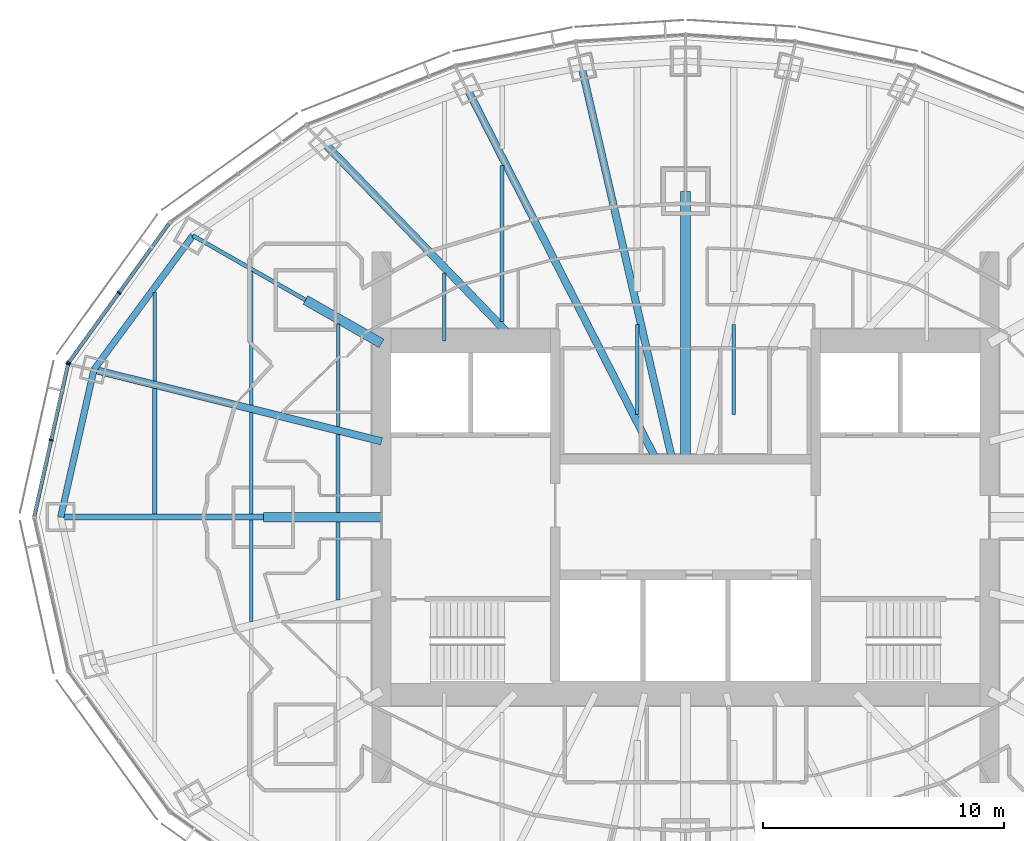
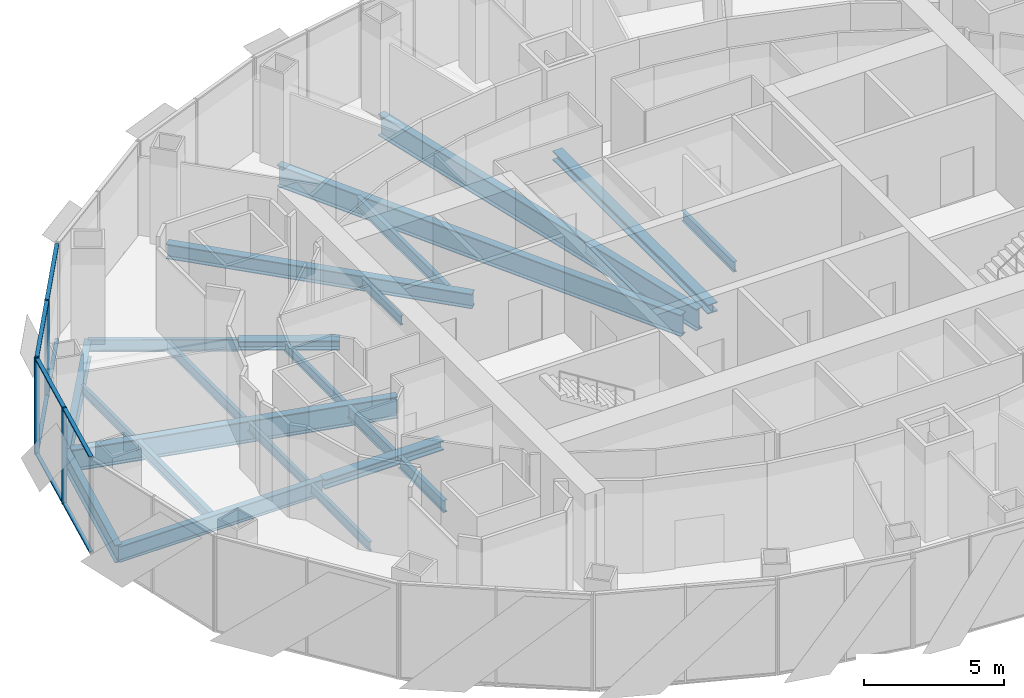
# One storey, part 4 of 19: 23 beams, 12 members, 2 elements without a shape of their own.
"""IFC4 building model written with IfcOpenShell, lengths in metres."""

from ifc_helpers import new_model, si_unit, direction, frame, origin, origin_2d, place, context, subcontext, project, spatial, rectangle, i_section, extrude, material, material_profile, profile_set, type_object, element, aggregate, save


model = new_model("IFC4")

# Units and contexts
model_context = context("Model", 3, precision=1e-05, world=origin(), true_north=direction((0.0, 1.0)))
body_context = subcontext(model_context, "Body", "Model", "MODEL_VIEW")
ifc_project = project(units=[si_unit("LENGTHUNIT", "METRE"), si_unit("AREAUNIT", "SQUARE_METRE"), si_unit("VOLUMEUNIT", "CUBIC_METRE"), si_unit("PLANEANGLEUNIT", "RADIAN"), si_unit("MASSUNIT", "GRAM", prefix="KILO")], contexts=[model_context])

# Site, building, storey
site_placement = place(None, origin())
site = spatial("IfcSite", under=ifc_project, at=site_placement, CompositionType="ELEMENT")
building_placement = place(site_placement, origin())
building = spatial("IfcBuilding", under=site, at=building_placement, Name="Lantaw Convention Tower", CompositionType="ELEMENT")
storey_placement = place(building_placement, frame((0.0, 0.0, 249.39990234375)))
storey = spatial("IfcBuildingStorey", under=building, at=storey_placement, Name="L58", CompositionType="ELEMENT", Elevation=249.39990234375)

# Beams
ifc_material_1 = material(Name="Steel ASTM A992", Category="steel")
ifc_material_profile_1 = material_profile(ifc_material_1, i_section(OverallWidth=0.2666015625, OverallDepth=0.76953125, WebThickness=0.015625, FlangeThickness=0.025390625, FilletRadius=0.0126953125, at=origin_2d()), Name="W30X132")
ifc_profile_set_1 = profile_set([ifc_material_profile_1], Name="Steel ASTM A992")
beam_type_1 = type_object("IfcBeamType", Name="Beam E W30X132", PredefinedType="SPANDREL", material=ifc_profile_set_1)
beam_1_placement = place(storey_placement, frame((-20.423095703125, 11.67041015625, -0.53466796875), z_axis=(-0.593639188853, -0.804731329984, 0.0), x_axis=(0.804731329984, -0.593639188853, 0.0)))
element("IfcBeam", 1, at=beam_1_placement, inside=storey, type_object=beam_type_1, Name="Edge beam 11", PredefinedType="SPANDREL", context=body_context, shape_type="SweptSolid", body=[
    extrude(i_section(OverallWidth=0.2666015625, OverallDepth=0.76953125, WebThickness=0.015625, FlangeThickness=0.025390625, FilletRadius=0.0126953125, at=origin_2d()), origin(), (0.0, 0.0, 1.0), 6.904541015625),
])
beam_2_placement = place(storey_placement, frame((-24.52197265625, 6.114013671875, -0.53466796875), z_axis=(-0.219857926596, -0.97553190215, 0.0), x_axis=(0.97553190215, -0.219857926596, 0.0)))
element("IfcBeam", 2, at=beam_2_placement, inside=storey, type_object=beam_type_1, Name="Edge beam 12", PredefinedType="SPANDREL", context=body_context, shape_type="SweptSolid", body=[
    extrude(i_section(OverallWidth=0.2666015625, OverallDepth=0.76953125, WebThickness=0.015625, FlangeThickness=0.025390625, FilletRadius=0.0126953125, at=origin_2d()), origin(), (0.0, 0.0, 1.0), 6.267333984375),
])
ifc_material_profile_2 = material_profile(ifc_material_1, i_section(OverallWidth=0.1650390625, OverallDepth=0.52587890625, WebThickness=0.0087890625, FlangeThickness=0.011474609375, FilletRadius=0.0126953125, at=origin_2d()), Name="W21X44")
ifc_profile_set_2 = profile_set([ifc_material_profile_2], Name="Steel ASTM A992")
beam_type_2 = type_object("IfcBeamType", Name="Beam G W21X44", PredefinedType="BEAM", material=ifc_profile_set_2)
beam_3_placement = place(storey_placement, frame((-15.75, 9.0, -0.412841796875), z_axis=(-0.868237559289, 0.496148708192, 0.0), x_axis=(-0.496148708192, -0.868237559289, 0.0)))
element("IfcBeam", 3, at=beam_3_placement, inside=storey, type_object=beam_type_2, Name="Floor girder on ray 11", PredefinedType="BEAM", context=body_context, shape_type="SweptSolid", body=[
    extrude(i_section(OverallWidth=0.1650390625, OverallDepth=0.52587890625, WebThickness=0.0087890625, FlangeThickness=0.011474609375, FilletRadius=0.0126953125, at=origin_2d()), origin(), (0.0, 0.0, 1.0), 5.38232421875),
])
ifc_material_profile_3 = material_profile(ifc_material_1, i_section(OverallWidth=0.32763671875, OverallDepth=0.64013671875, WebThickness=0.01904296875, FlangeThickness=0.033935546875, FilletRadius=0.0126953125, at=origin_2d()), Name="W24X176")
ifc_profile_set_3 = profile_set([ifc_material_profile_3], Name="Steel ASTM A992")
beam_type_3 = type_object("IfcBeamType", Name="Beam G W24X176", PredefinedType="BEAM", material=ifc_profile_set_3)
beam_4_placement = place(storey_placement, frame((-7.049560546875, 7.300048828125, -0.469970703125), z_axis=(-0.694657766726, 0.719340383356, 0.0), x_axis=(-0.719340383356, -0.694657766726, 0.0)))
element("IfcBeam", 4, at=beam_4_placement, inside=storey, type_object=beam_type_3, Name="Floor girder on ray 10", PredefinedType="BEAM", context=body_context, shape_type="SweptSolid", body=[
    extrude(i_section(OverallWidth=0.32763671875, OverallDepth=0.64013671875, WebThickness=0.01904296875, FlangeThickness=0.033935546875, FilletRadius=0.0126953125, at=origin_2d()), origin(), (0.0, 0.0, 1.0), 11.364990234375),
])
ifc_material_profile_4 = material_profile(ifc_material_1, i_section(OverallWidth=0.25390625, OverallDepth=0.700927734375, WebThickness=0.015380859375, FlangeThickness=0.02783203125, FilletRadius=0.01513671875, at=origin_2d()), Name="W27X129")
ifc_profile_set_4 = profile_set([ifc_material_profile_4], Name="Steel ASTM A992")
beam_type_4 = type_object("IfcBeamType", Name="Beam G W27X129", PredefinedType="BEAM", material=ifc_profile_set_4)
beam_5_placement = place(storey_placement, frame((-17.5, 0.0, -0.50048828125), z_axis=(-1.0, 0.0, 0.0), x_axis=(0.0, -1.0, 0.0)))
element("IfcBeam", 5, at=beam_5_placement, inside=storey, type_object=beam_type_4, Name="Floor girder on ray 13", PredefinedType="BEAM", context=body_context, shape_type="SweptSolid", body=[
    extrude(i_section(OverallWidth=0.25390625, OverallDepth=0.700927734375, WebThickness=0.015380859375, FlangeThickness=0.02783203125, FilletRadius=0.01513671875, at=origin_2d()), origin(), (0.0, 0.0, 1.0), 8.39990234375),
])
ifc_material_profile_5 = material_profile(ifc_material_1, i_section(OverallWidth=0.307373046875, OverallDepth=0.9423828125, WebThickness=0.022216796875, FlangeThickness=0.039794921875, FilletRadius=0.0126953125, at=origin_2d()), Name="W36X232")
ifc_profile_set_5 = profile_set([ifc_material_profile_5], Name="Steel ASTM A992")
beam_type_5 = type_object("IfcBeamType", Name="Beam G W36X232", PredefinedType="BEAM", material=ifc_profile_set_5)
beam_6_placement = place(storey_placement, frame((-0.55419921875, 2.39990234375, -0.62109375), z_axis=(-0.224948287002, 0.974370703672, 0.0), x_axis=(-0.974370703672, -0.224948287002, 0.0)))
element("IfcBeam", 6, at=beam_6_placement, inside=storey, type_object=beam_type_5, Name="Floor girder on ray 8", PredefinedType="BEAM", context=body_context, shape_type="SweptSolid", body=[
    extrude(i_section(OverallWidth=0.307373046875, OverallDepth=0.9423828125, WebThickness=0.022216796875, FlangeThickness=0.039794921875, FilletRadius=0.0126953125, at=origin_2d()), origin(), (0.0, 0.0, 1.0), 16.66943359375),
])
beam_7_placement = place(storey_placement, frame((-1.222900390625, 2.39990234375, -0.62109375), z_axis=(-0.453988481463, 0.891007552549, 0.0), x_axis=(-0.891007552549, -0.453988481463, 0.0)))
element("IfcBeam", 7, at=beam_7_placement, inside=storey, type_object=beam_type_5, Name="Floor girder on ray 9", PredefinedType="BEAM", context=body_context, shape_type="SweptSolid", body=[
    extrude(i_section(OverallWidth=0.307373046875, OverallDepth=0.9423828125, WebThickness=0.022216796875, FlangeThickness=0.039794921875, FilletRadius=0.0126953125, at=origin_2d()), origin(), (0.0, 0.0, 1.0), 17.20703125),
])
beam_8_placement = place(storey_placement, frame((-12.60009765625, 3.1416015625, -0.62109375), z_axis=(-0.970296589314, 0.241918434119, 0.0), x_axis=(-0.241918434119, -0.970296589314, 0.0)))
element("IfcBeam", 8, at=beam_8_placement, inside=storey, type_object=beam_type_5, Name="Floor girder on ray 12", PredefinedType="BEAM", context=body_context, shape_type="SweptSolid", body=[
    extrude(i_section(OverallWidth=0.307373046875, OverallDepth=0.9423828125, WebThickness=0.022216796875, FlangeThickness=0.039794921875, FilletRadius=0.0126953125, at=origin_2d()), origin(), (0.0, 0.0, 1.0), 12.286865234375),
])
ifc_material_profile_6 = material_profile(ifc_material_1, i_section(OverallWidth=0.40380859375, OverallDepth=0.406494140625, WebThickness=0.027099609375, FlangeThickness=0.043701171875, FilletRadius=0.01513671875, at=origin_2d()), Name="W14X233")
ifc_profile_set_6 = profile_set([ifc_material_profile_6], Name="Steel ASTM A992")
beam_type_6 = type_object("IfcBeamType", Name="Beam GM W14X233", PredefinedType="BEAM", material=ifc_profile_set_6)
beam_9_placement = place(storey_placement, frame((0.0, 2.39990234375, -0.35302734375), z_axis=(0.0, 1.0, 0.0), x_axis=(-1.0, 0.0, 0.0)))
element("IfcBeam", 9, at=beam_9_placement, inside=storey, type_object=beam_type_6, Name="Core link beam on ray 7", PredefinedType="BEAM", context=body_context, shape_type="SweptSolid", body=[
    extrude(i_section(OverallWidth=0.40380859375, OverallDepth=0.406494140625, WebThickness=0.027099609375, FlangeThickness=0.043701171875, FilletRadius=0.01513671875, at=origin_2d()), origin(), (0.0, 0.0, 1.0), 11.10009765625),
])
beam_10_placement = place(storey_placement, frame((-12.60009765625, 7.199951171875, -0.35302734375), z_axis=(-0.868230718294, 0.496160679428, 0.0), x_axis=(-0.496160679428, -0.868230718294, 0.0)))
element("IfcBeam", 10, at=beam_10_placement, inside=storey, type_object=beam_type_6, Name="Core link beam on ray 11", PredefinedType="BEAM", context=body_context, shape_type="SweptSolid", body=[
    extrude(i_section(OverallWidth=0.40380859375, OverallDepth=0.406494140625, WebThickness=0.027099609375, FlangeThickness=0.043701171875, FilletRadius=0.01513671875, at=origin_2d()), origin(), (0.0, 0.0, 1.0), 3.6279296875),
])
beam_11_placement = place(storey_placement, frame((-12.60009765625, 0.0, -0.35302734375), z_axis=(-1.0, 0.0, 0.0), x_axis=(0.0, -1.0, 0.0)))
element("IfcBeam", 11, at=beam_11_placement, inside=storey, type_object=beam_type_6, Name="Core link beam on ray 13", PredefinedType="BEAM", context=body_context, shape_type="SweptSolid", body=[
    extrude(i_section(OverallWidth=0.40380859375, OverallDepth=0.406494140625, WebThickness=0.027099609375, FlangeThickness=0.043701171875, FilletRadius=0.01513671875, at=origin_2d()), origin(), (0.0, 0.0, 1.0), 4.89990234375),
])
ifc_material_profile_7 = material_profile(ifc_material_1, i_section(OverallWidth=0.140380859375, OverallDepth=0.40380859375, WebThickness=0.007080078125, FlangeThickness=0.01123046875, FilletRadius=0.01025390625, at=origin_2d()), Name="W16X31")
ifc_profile_set_7 = profile_set([ifc_material_profile_7], Name="Steel ASTM A992")
beam_type_7 = type_object("IfcBeamType", Name="Beam J W16X31", PredefinedType="JOIST", material=ifc_profile_set_7)
beam_12_placement = place(storey_placement, frame((-22.0, 5.6435546875, -0.351806640625), z_axis=(0.0, 1.0, 0.0), x_axis=(-1.0, 0.0, 0.0)))
element("IfcBeam", 12, at=beam_12_placement, inside=storey, type_object=beam_type_7, Name="Floor joist", PredefinedType="JOIST", context=body_context, shape_type="SweptSolid", body=[
    extrude(i_section(OverallWidth=0.140380859375, OverallDepth=0.40380859375, WebThickness=0.007080078125, FlangeThickness=0.01123046875, FilletRadius=0.01025390625, at=origin_2d()), origin(), (0.0, 0.0, 1.0), 3.66455078125),
])
for number, where, z_axis, x_axis, name in (
    (13, (-18.0, -4.32958984375, -0.351806640625), (0.0, 1.0, 0.0), (-1.0, 0.0, 0.0), "Floor joist"),
    (14, (-18.0, 0.126953125, -0.351806640625), (0.0, 1.0, 0.0), (-1.0, 0.0, 0.0), "Floor joist"),
):
    element("IfcBeam", number, at=place(storey_placement, frame(where, z_axis=z_axis, x_axis=x_axis)), inside=storey, type_object=beam_type_7, Name=name, PredefinedType="JOIST", context=body_context, shape_type="SweptSolid", body=[
        extrude(i_section(OverallWidth=0.140380859375, OverallDepth=0.40380859375, WebThickness=0.007080078125, FlangeThickness=0.01123046875, FilletRadius=0.01025390625, at=origin_2d()), origin(), (0.0, 0.0, 1.0), 4.20263671875),
    ])
beam_13_placement = place(storey_placement, frame((-14.39990234375, 3.748779296875, -0.351806640625), z_axis=(0.0, 1.0, 0.0), x_axis=(-1.0, 0.0, 0.0)))
element("IfcBeam", 15, at=beam_13_placement, inside=storey, type_object=beam_type_7, Name="Floor joist", PredefinedType="JOIST", context=body_context, shape_type="SweptSolid", body=[
    extrude(i_section(OverallWidth=0.140380859375, OverallDepth=0.40380859375, WebThickness=0.007080078125, FlangeThickness=0.01123046875, FilletRadius=0.01025390625, at=origin_2d()), origin(), (0.0, 0.0, 1.0), 4.247314453125),
])
beam_14_placement = place(storey_placement, frame((-10.0, 7.300048828125, -0.351806640625), z_axis=(0.0, 1.0, 0.0), x_axis=(-1.0, 0.0, 0.0)))
element("IfcBeam", 16, at=beam_14_placement, inside=storey, type_object=beam_type_7, Name="Floor joist", PredefinedType="JOIST", context=body_context, shape_type="SweptSolid", body=[
    extrude(i_section(OverallWidth=0.140380859375, OverallDepth=0.40380859375, WebThickness=0.007080078125, FlangeThickness=0.01123046875, FilletRadius=0.01025390625, at=origin_2d()), origin(), (0.0, 0.0, 1.0), 2.8193359375),
])
ifc_material_profile_8 = material_profile(ifc_material_1, i_section(OverallWidth=0.15234375, OverallDepth=0.449462890625, WebThickness=0.007568359375, FlangeThickness=0.0107421875, FilletRadius=0.01025390625, at=origin_2d()), Name="W18X35")
ifc_profile_set_8 = profile_set([ifc_material_profile_8], Name="Steel ASTM A992")
beam_type_8 = type_object("IfcBeamType", Name="Beam J W18X35", PredefinedType="JOIST", material=ifc_profile_set_8)
beam_15_placement = place(storey_placement, frame((-18.0, 4.646240234375, -0.374755859375), z_axis=(0.0, 1.0, 0.0), x_axis=(-1.0, 0.0, 0.0)))
element("IfcBeam", 17, at=beam_15_placement, inside=storey, type_object=beam_type_8, Name="Floor joist", PredefinedType="JOIST", context=body_context, shape_type="SweptSolid", body=[
    extrude(i_section(OverallWidth=0.15234375, OverallDepth=0.449462890625, WebThickness=0.007568359375, FlangeThickness=0.0107421875, FilletRadius=0.01025390625, at=origin_2d()), origin(), (0.0, 0.0, 1.0), 5.54443359375),
])
for number, where, z_axis, x_axis, name in (
    (18, (-2.0, 4.263671875, -0.374755859375), (0.0, 1.0, 0.0), (-1.0, 0.0, 0.0), "Floor joist"),
    (19, (2.0, 4.263671875, -0.374755859375), (0.0, 1.0, 0.0), (-1.0, 0.0, 0.0), "Floor joist"),
):
    element("IfcBeam", number, at=place(storey_placement, frame(where, z_axis=z_axis, x_axis=x_axis)), inside=storey, type_object=beam_type_8, Name=name, PredefinedType="JOIST", context=body_context, shape_type="SweptSolid", body=[
        extrude(i_section(OverallWidth=0.15234375, OverallDepth=0.449462890625, WebThickness=0.007568359375, FlangeThickness=0.0107421875, FilletRadius=0.01025390625, at=origin_2d()), origin(), (0.0, 0.0, 1.0), 3.716064453125),
    ])
ifc_material_profile_9 = material_profile(ifc_material_1, i_section(OverallWidth=0.1904296875, OverallDepth=0.457275390625, WebThickness=0.009033203125, FlangeThickness=0.014404296875, FilletRadius=0.01025390625, at=origin_2d()), Name="W18X50")
ifc_profile_set_9 = profile_set([ifc_material_profile_9], Name="Steel ASTM A992")
beam_type_9 = type_object("IfcBeamType", Name="Beam J W18X50", PredefinedType="JOIST", material=ifc_profile_set_9)
beam_16_placement = place(storey_placement, frame((-22.0, 0.126953125, -0.37841796875), z_axis=(0.0, 1.0, 0.0), x_axis=(-1.0, 0.0, 0.0)))
element("IfcBeam", 20, at=beam_16_placement, inside=storey, type_object=beam_type_9, Name="Floor joist", PredefinedType="JOIST", context=body_context, shape_type="SweptSolid", body=[
    extrude(i_section(OverallWidth=0.1904296875, OverallDepth=0.457275390625, WebThickness=0.009033203125, FlangeThickness=0.014404296875, FilletRadius=0.01025390625, at=origin_2d()), origin(), (0.0, 0.0, 1.0), 5.199951171875),
])
ifc_material_profile_10 = material_profile(ifc_material_1, i_section(OverallWidth=0.1650390625, OverallDepth=0.52587890625, WebThickness=0.0087890625, FlangeThickness=0.011474609375, FilletRadius=0.0126953125, at=origin_2d()), Name="W21X44")
ifc_profile_set_10 = profile_set([ifc_material_profile_10], Name="Steel ASTM A992")
beam_type_10 = type_object("IfcBeamType", Name="Beam J W21X44", PredefinedType="JOIST", material=ifc_profile_set_10)
for number, where, z_axis, x_axis, name in (
    (21, (-14.39990234375, -3.431884765625, -0.412841796875), (0.0, 1.0, 0.0), (-1.0, 0.0, 0.0), "Floor joist"),
    (22, (-14.39990234375, 0.201904296875, -0.412841796875), (0.0, 1.0, 0.0), (-1.0, 0.0, 0.0), "Floor joist"),
):
    element("IfcBeam", number, at=place(storey_placement, frame(where, z_axis=z_axis, x_axis=x_axis)), inside=storey, type_object=beam_type_10, Name=name, PredefinedType="JOIST", context=body_context, shape_type="SweptSolid", body=[
        extrude(i_section(OverallWidth=0.1650390625, OverallDepth=0.52587890625, WebThickness=0.0087890625, FlangeThickness=0.011474609375, FilletRadius=0.0126953125, at=origin_2d()), origin(), (0.0, 0.0, 1.0), 3.22998046875),
    ])
beam_17_placement = place(storey_placement, frame((-7.60009765625, 8.10595703125, -0.412841796875), z_axis=(0.0, 1.0, 0.0), x_axis=(-1.0, 0.0, 0.0)))
element("IfcBeam", 23, at=beam_17_placement, inside=storey, type_object=beam_type_10, Name="Floor joist", PredefinedType="JOIST", context=body_context, shape_type="SweptSolid", body=[
    extrude(i_section(OverallWidth=0.1650390625, OverallDepth=0.52587890625, WebThickness=0.0087890625, FlangeThickness=0.011474609375, FilletRadius=0.0126953125, at=origin_2d()), origin(), (0.0, 0.0, 1.0), 6.471435546875),
])

# Curtain wall, members
ifc_material_2 = material(Name="Aluminium framed curtain wall", Category="aluminium")
curtain_wall_type = type_object("IfcCurtainWallType", Name="Office curtain wall high rise, pale aluminium", PredefinedType="USERDEFINED", material=ifc_material_2)
curtain_wall_1_placement = place(storey_placement, origin())
curtain_wall_1 = element("IfcCurtainWall", 24, at=curtain_wall_1_placement, inside=storey, type_object=curtain_wall_type, Name="Office curtain wall high rise, pale aluminium L58", ObjectType="UNITISED CURTAIN WALL", PredefinedType="USERDEFINED")
ifc_material_3 = material(Name="Aluminium 6063-T6", Category="aluminium")
ifc_material_profile_11 = material_profile(ifc_material_3, rectangle(XDim=0.179931640625, YDim=0.06494140625, at=origin_2d()), Name="CW-O2 mullion 65x180")
ifc_profile_set_11 = profile_set([ifc_material_profile_11], Name="Aluminium 6063-T6")
member_type_1 = type_object("IfcMemberType", Name="CW-O2 mullion 65x180", PredefinedType="MULLION", material=ifc_profile_set_11)
member_1_placement = place(storey_placement, frame((-23.483642578125, 9.298095703125, -0.14990234375), z_axis=(0.0, 0.0, 1.0), x_axis=(0.810919559405, -0.585157643865, 0.0)))
member_1 = element("IfcMember", 25, at=member_1_placement, type_object=member_type_1, Name="CW-O2 mullion 2", PredefinedType="MULLION", context=body_context, shape_type="SweptSolid", body=[
    extrude(rectangle(XDim=0.179931640625, YDim=0.06494140625, at=origin_2d()), origin(), (0.0, 0.0, 1.0), 4.199951171875),
])
member_2_placement = place(storey_placement, frame((-25.5703125, 6.406494140625, -0.14990234375), z_axis=(0.0, 0.0, 1.0), x_axis=(0.810919559405, -0.585157643865, 0.0)))
member_2 = element("IfcMember", 26, at=member_2_placement, type_object=member_type_1, Name="CW-O2 mullion 3", PredefinedType="MULLION", context=body_context, shape_type="SweptSolid", body=[
    extrude(rectangle(XDim=0.179931640625, YDim=0.06494140625, at=origin_2d()), origin(), (0.0, 0.0, 1.0), 4.199951171875),
])

curtain_wall_2_placement = place(storey_placement, origin())
curtain_wall_2 = element("IfcCurtainWall", 27, at=curtain_wall_2_placement, inside=storey, type_object=curtain_wall_type, Name="Office curtain wall high rise, pale aluminium L58", ObjectType="UNITISED CURTAIN WALL", PredefinedType="USERDEFINED")
member_3_placement = place(storey_placement, frame((-25.596435546875, 6.348388671875, -0.14990234375), z_axis=(0.0, 0.0, 1.0), x_axis=(0.976417396437, -0.215891333626, 0.0)))
member_3 = element("IfcMember", 28, at=member_3_placement, type_object=member_type_1, Name="CW-O2 mullion 1", PredefinedType="MULLION", context=body_context, shape_type="SweptSolid", body=[
    extrude(rectangle(XDim=0.179931640625, YDim=0.06494140625, at=origin_2d()), origin(), (0.0, 0.0, 1.0), 4.199951171875),
])
member_4_placement = place(storey_placement, frame((-26.294677734375, 3.190185546875, -0.14990234375), z_axis=(0.0, 0.0, 1.0), x_axis=(0.976417396437, -0.215891333626, 0.0)))
member_4 = element("IfcMember", 29, at=member_4_placement, type_object=member_type_1, Name="CW-O2 mullion 2", PredefinedType="MULLION", context=body_context, shape_type="SweptSolid", body=[
    extrude(rectangle(XDim=0.179931640625, YDim=0.06494140625, at=origin_2d()), origin(), (0.0, 0.0, 1.0), 4.199951171875),
])

# Member
ifc_material_profile_12 = material_profile(ifc_material_3, rectangle(XDim=0.14990234375, YDim=0.06494140625, at=origin_2d()), Name="CW-O2 transom 65x150")
ifc_profile_set_12 = profile_set([ifc_material_profile_12], Name="Aluminium 6063-T6")
member_type_2 = type_object("IfcMemberType", Name="CW-O2 transom 65x150", PredefinedType="USERDEFINED", material=ifc_profile_set_12)
member_5_placement = place(storey_placement, frame((-21.416259765625, 12.163330078125, -0.117431640625), z_axis=(-0.585123825205, -0.810943961798, 0.0), x_axis=(0.810943961798, -0.585123825205, 0.0)))
member_5 = element("IfcMember", 30, at=member_5_placement, type_object=member_type_2, Name="CW-O2 transom 1.1", ObjectType="TRANSOM", PredefinedType="USERDEFINED", context=body_context, shape_type="SweptSolid", body=[
    extrude(rectangle(XDim=0.14990234375, YDim=0.06494140625, at=origin_2d()), origin(), (0.0, 0.0, 1.0), 3.500732421875),
])

member_6_placement = place(storey_placement, frame((-21.416259765625, 12.163330078125, 4.017578125), z_axis=(-0.585123825205, -0.810943961798, 0.0), x_axis=(0.810943961798, -0.585123825205, 0.0)))
member_6 = element("IfcMember", 31, at=member_6_placement, type_object=member_type_2, Name="CW-O2 transom 1.2", ObjectType="TRANSOM", PredefinedType="USERDEFINED", context=body_context, shape_type="SweptSolid", body=[
    extrude(rectangle(XDim=0.14990234375, YDim=0.06494140625, at=origin_2d()), origin(), (0.0, 0.0, 1.0), 3.500732421875),
])

member_7_placement = place(storey_placement, frame((-23.502685546875, 9.271728515625, -0.117431640625), z_axis=(-0.585169685931, -0.810910869743, 0.0), x_axis=(0.810910869743, -0.585169685931, 0.0)))
member_7 = element("IfcMember", 32, at=member_7_placement, type_object=member_type_2, Name="CW-O2 transom 2.1", ObjectType="TRANSOM", PredefinedType="USERDEFINED", context=body_context, shape_type="SweptSolid", body=[
    extrude(rectangle(XDim=0.14990234375, YDim=0.06494140625, at=origin_2d()), origin(), (0.0, 0.0, 1.0), 3.500732421875),
])

member_8_placement = place(storey_placement, frame((-23.502685546875, 9.271728515625, 4.017578125), z_axis=(-0.585169685931, -0.810910869743, 0.0), x_axis=(0.810910869743, -0.585169685931, 0.0)))
member_8 = element("IfcMember", 33, at=member_8_placement, type_object=member_type_2, Name="CW-O2 transom 2.2", ObjectType="TRANSOM", PredefinedType="USERDEFINED", context=body_context, shape_type="SweptSolid", body=[
    extrude(rectangle(XDim=0.14990234375, YDim=0.06494140625, at=origin_2d()), origin(), (0.0, 0.0, 1.0), 3.500732421875),
])

aggregate(curtain_wall_1, [member_1, member_2, member_5, member_6, member_7, member_8])

member_9_placement = place(storey_placement, frame((-25.603271484375, 6.316650390625, -0.117431640625), z_axis=(-0.215894607042, -0.976416672661, 0.0), x_axis=(0.976416672661, -0.215894607042, 0.0)))
member_9 = element("IfcMember", 34, at=member_9_placement, type_object=member_type_2, Name="CW-O2 transom 1.1", ObjectType="TRANSOM", PredefinedType="USERDEFINED", context=body_context, shape_type="SweptSolid", body=[
    extrude(rectangle(XDim=0.14990234375, YDim=0.06494140625, at=origin_2d()), origin(), (0.0, 0.0, 1.0), 3.169677734375),
])

member_10_placement = place(storey_placement, frame((-25.603271484375, 6.316650390625, 4.017578125), z_axis=(-0.215894607042, -0.976416672661, 0.0), x_axis=(0.976416672661, -0.215894607042, 0.0)))
member_10 = element("IfcMember", 35, at=member_10_placement, type_object=member_type_2, Name="CW-O2 transom 1.2", ObjectType="TRANSOM", PredefinedType="USERDEFINED", context=body_context, shape_type="SweptSolid", body=[
    extrude(rectangle(XDim=0.14990234375, YDim=0.06494140625, at=origin_2d()), origin(), (0.0, 0.0, 1.0), 3.169677734375),
])

member_11_placement = place(storey_placement, frame((-26.3017578125, 3.158447265625, -0.117431640625), z_axis=(-0.215894607042, -0.976416672661, 0.0), x_axis=(0.976416672661, -0.215894607042, 0.0)))
member_11 = element("IfcMember", 36, at=member_11_placement, type_object=member_type_2, Name="CW-O2 transom 2.1", ObjectType="TRANSOM", PredefinedType="USERDEFINED", context=body_context, shape_type="SweptSolid", body=[
    extrude(rectangle(XDim=0.14990234375, YDim=0.06494140625, at=origin_2d()), origin(), (0.0, 0.0, 1.0), 3.169677734375),
])

member_12_placement = place(storey_placement, frame((-26.3017578125, 3.158447265625, 4.017578125), z_axis=(-0.215894607042, -0.976416672661, 0.0), x_axis=(0.976416672661, -0.215894607042, 0.0)))
member_12 = element("IfcMember", 37, at=member_12_placement, type_object=member_type_2, Name="CW-O2 transom 2.2", ObjectType="TRANSOM", PredefinedType="USERDEFINED", context=body_context, shape_type="SweptSolid", body=[
    extrude(rectangle(XDim=0.14990234375, YDim=0.06494140625, at=origin_2d()), origin(), (0.0, 0.0, 1.0), 3.169677734375),
])

aggregate(curtain_wall_2, [member_3, member_4, member_9, member_10, member_11, member_12])

save(model, "model.ifc")
